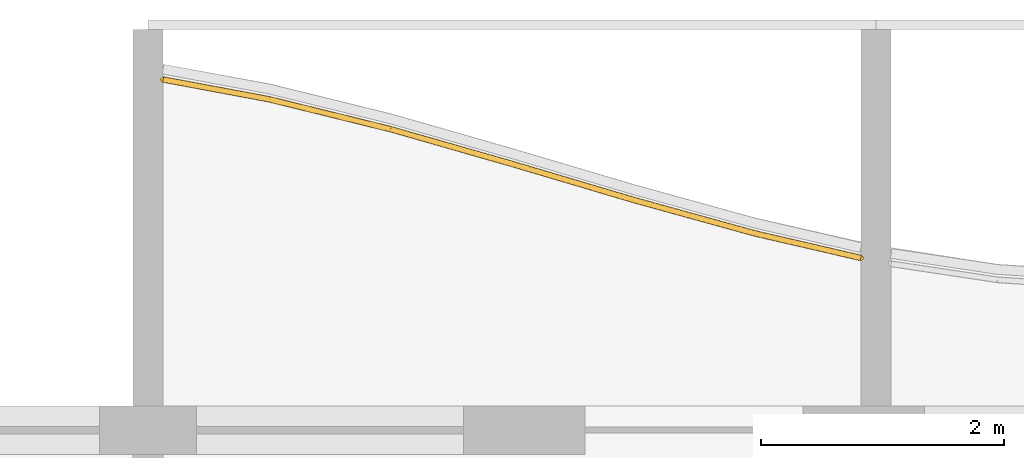
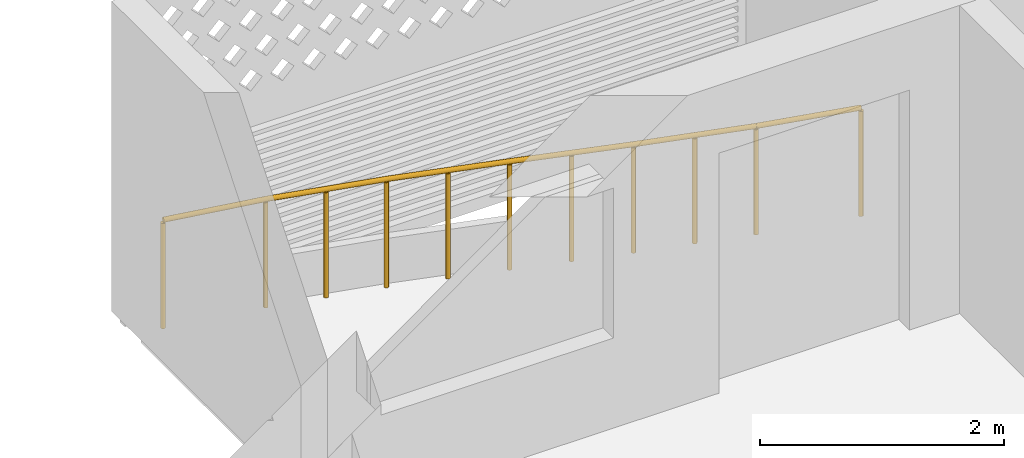
# One storey, part 24 of 27: 1 railing.
"""IFC4 building model written with IfcOpenShell, lengths in metres."""

from ifc_helpers import new_model, si_unit, direction, frame, origin, origin_2d, place, context, subcontext, project, spatial, circle, extrude, material, type_object, element, save


model = new_model("IFC4")

# Units and contexts
model_context = context("Model", 3, precision=1e-05, world=origin(), true_north=direction((0.0, 1.0)))
body_context = subcontext(model_context, "Body", "Model", "MODEL_VIEW")
ifc_project = project(units=[si_unit("LENGTHUNIT", "METRE"), si_unit("AREAUNIT", "SQUARE_METRE"), si_unit("VOLUMEUNIT", "CUBIC_METRE"), si_unit("PLANEANGLEUNIT", "RADIAN"), si_unit("MASSUNIT", "GRAM", prefix="KILO")], contexts=[model_context])

# Site, building, storey
site_placement = place(None, origin())
site = spatial("IfcSite", under=ifc_project, at=site_placement, CompositionType="ELEMENT")
building_placement = place(site_placement, origin())
building = spatial("IfcBuilding", under=site, at=building_placement, Name="Poui Terraces", CompositionType="ELEMENT")
storey_placement = place(building_placement, frame((0.0, 0.0, 254.39990234375)))
storey = spatial("IfcBuildingStorey", under=building, at=storey_placement, Name="L71", CompositionType="ELEMENT", Elevation=254.39990234375)

# Railing
ifc_material = material(Name="Painted steel fretwork", Category="steel")
railing_type = type_object("IfcRailingType", Name="BALCONY GUARD 1100", PredefinedType="GUARDRAIL", material=ifc_material)
railing_placement = place(storey_placement, frame((66.125, 44.08984375, 0.0)))
element("IfcRailing", 1, at=railing_placement, inside=storey, type_object=railing_type, Name="BALCONY GUARD", PredefinedType="GUARDRAIL", context=body_context, shape_type="SweptSolid", body=[
    extrude(circle(Radius=0.02392578125, at=origin_2d()), frame((0.0, 0.0, 1.076171875), z_axis=(0.983070349335, -0.183228513771, 0.0), x_axis=(0.183228513771, 0.983070349335, 0.0)), (0.0, 0.0, 1.0), 0.89013671875),
    extrude(circle(Radius=0.02392578125, at=origin_2d()), frame((0.875, -0.1630859375, 1.076171875), z_axis=(0.970973389115, -0.239187536528, 0.0), x_axis=(0.239187536528, 0.970973389115, 0.0)), (0.0, 0.0, 1.0), 1.02978515625),
    extrude(circle(Radius=0.02392578125, at=origin_2d()), frame((1.875, -0.409423828125, 1.076171875), z_axis=(0.96141758688, -0.275093118121, 0.0), x_axis=(0.275093118121, 0.96141758688, 0.0)), (0.0, 0.0, 1.0), 1.0400390625),
    extrude(circle(Radius=0.02392578125, at=origin_2d()), frame((2.875, -0.695556640625, 1.076171875), z_axis=(0.958774495191, -0.284168026651, 0.0), x_axis=(0.284168026651, 0.958774495191, 0.0)), (0.0, 0.0, 1.0), 1.04296875),
    extrude(circle(Radius=0.02392578125, at=origin_2d()), frame((3.875, -0.991943359375, 1.076171875), z_axis=(0.963928100541, -0.26616276409, 0.0), x_axis=(0.26616276409, 0.963928100541, 0.0)), (0.0, 0.0, 1.0), 1.037353515625),
    extrude(circle(Radius=0.02392578125, at=origin_2d()), frame((4.875, -1.26806640625, 1.076171875), z_axis=(0.974276529724, -0.225355815609, 0.0), x_axis=(0.225355815609, 0.974276529724, 0.0)), (0.0, 0.0, 1.0), 0.898193359375),
    extrude(circle(Radius=0.02099609375, at=origin_2d()), origin(), (0.0, 0.0, 1.0), 1.052001953125),
    extrude(circle(Radius=0.02099609375, at=origin_2d()), frame((0.875, -0.1630859375, 0.0)), (0.0, 0.0, 1.0), 1.052001953125),
    extrude(circle(Radius=0.02099609375, at=origin_2d()), frame((1.375, -0.2861328125, 0.0)), (0.0, 0.0, 1.0), 1.052001953125),
    extrude(circle(Radius=0.02099609375, at=origin_2d()), frame((1.875, -0.409423828125, 0.0)), (0.0, 0.0, 1.0), 1.052001953125),
    extrude(circle(Radius=0.02099609375, at=origin_2d()), frame((2.375, -0.552490234375, 0.0)), (0.0, 0.0, 1.0), 1.052001953125),
    extrude(circle(Radius=0.02099609375, at=origin_2d()), frame((2.875, -0.695556640625, 0.0)), (0.0, 0.0, 1.0), 1.052001953125),
    extrude(circle(Radius=0.02099609375, at=origin_2d()), frame((3.375, -0.84375, 0.0)), (0.0, 0.0, 1.0), 1.052001953125),
    extrude(circle(Radius=0.02099609375, at=origin_2d()), frame((3.875, -0.991943359375, 0.0)), (0.0, 0.0, 1.0), 1.052001953125),
    extrude(circle(Radius=0.02099609375, at=origin_2d()), frame((4.375, -1.1298828125, 0.0)), (0.0, 0.0, 1.0), 1.052001953125),
    extrude(circle(Radius=0.02099609375, at=origin_2d()), frame((4.875, -1.26806640625, 0.0)), (0.0, 0.0, 1.0), 1.052001953125),
    extrude(circle(Radius=0.02099609375, at=origin_2d()), frame((5.75, -1.470458984375, 0.0)), (0.0, 0.0, 1.0), 1.052001953125),
])

save(model, "model.ifc")
